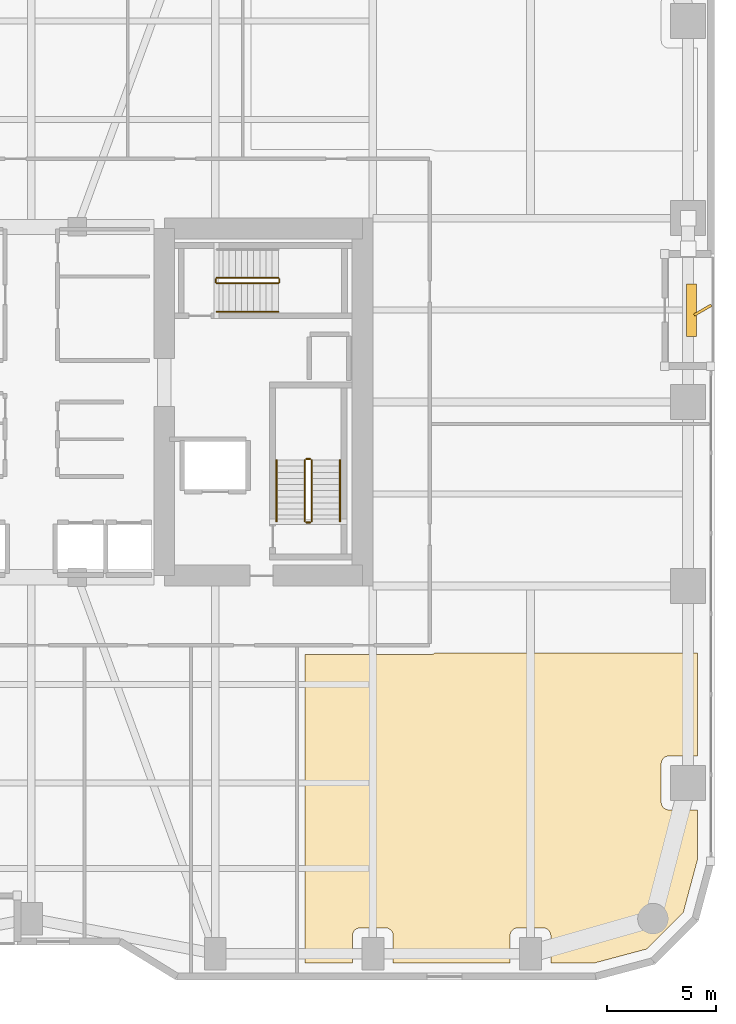
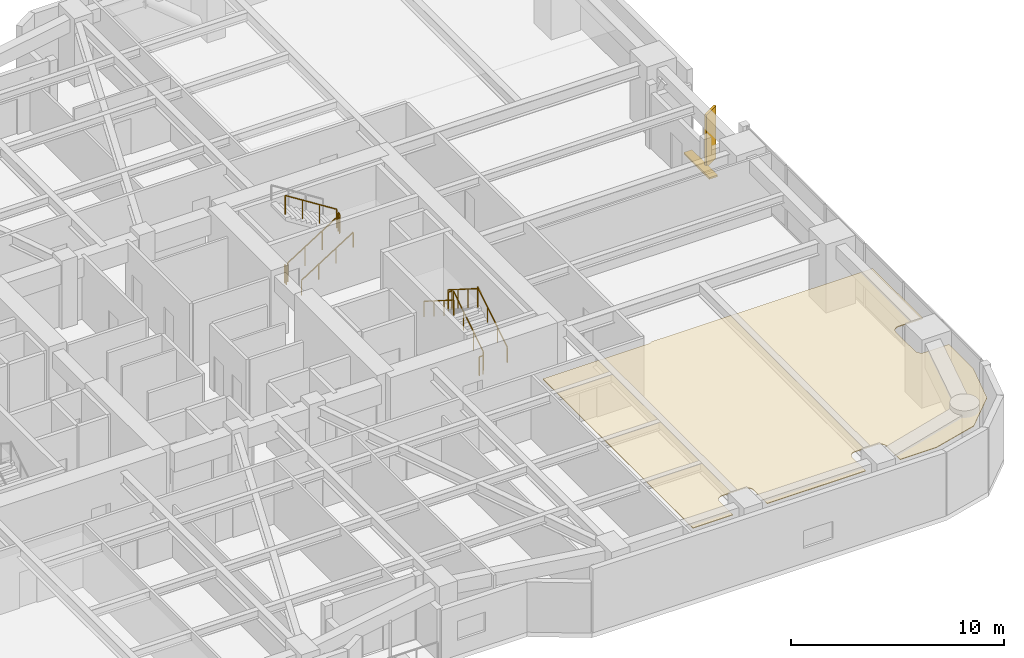
# One storey, part 28 of 29: 11 railings, 2 shading devices, 1 covering.
"""IFC4 building model written with IfcOpenShell, lengths in metres."""

from ifc_helpers import new_model, si_unit, direction, frame, origin, origin_2d, place, context, subcontext, project, spatial, polyline, rectangle, outline, extrude, material, layer, layer_set, type_object, element, save


model = new_model("IFC4")

# Units and contexts
model_context = context("Model", 3, precision=1e-05, world=origin(), true_north=direction((0.0, 1.0)))
body_context = subcontext(model_context, "Body", "Model", "MODEL_VIEW")
ifc_project = project(units=[si_unit("LENGTHUNIT", "METRE"), si_unit("AREAUNIT", "SQUARE_METRE"), si_unit("VOLUMEUNIT", "CUBIC_METRE"), si_unit("PLANEANGLEUNIT", "RADIAN"), si_unit("MASSUNIT", "GRAM", prefix="KILO")], contexts=[model_context])

# Site, building, storey
site_placement = place(None, origin())
site = spatial("IfcSite", under=ifc_project, at=site_placement, CompositionType="ELEMENT")
building_placement = place(site_placement, origin())
building = spatial("IfcBuilding", under=site, at=building_placement, Name="Kiyonajd Concourse Tower", CompositionType="ELEMENT")
storey_placement = place(building_placement, frame((0.0, 0.0, 52.800048828125)))
storey = spatial("IfcBuildingStorey", under=building, at=storey_placement, Name="L14", CompositionType="ELEMENT", Elevation=52.800048828125)

# Covering
ifc_material_1 = material(Name="Natural Oak Acoustic Timber Veneer", Category="wood")
ifc_layer = layer(ifc_material_1, 0.0400390625)
ifc_layer_set = layer_set([ifc_layer], Name="Natural Oak Acoustic Timber Veneer")
covering_type = type_object("IfcCoveringType", Name="CV-CLG-ACST", PredefinedType="CEILING", material=ifc_layer_set)
covering_placement = place(storey_placement, frame((0.0, 0.0, 3.4599609375)))
element("IfcCovering", 1, at=covering_placement, inside=storey, type_object=covering_type, Name="L14-45 Room Acoustic Ceiling", PredefinedType="CEILING", context=body_context, shape_type="SweptSolid", body=[
    extrude(outline(polyline([(66.447998046875, 24.5400390625), (78.429931640625, 24.5400390625), (78.429931640625, 19.830078125), (77.1201171875, 19.830078125), (77.052001953125, 19.822998046875), (76.986083984375, 19.802978515625), (76.926025390625, 19.77099609375), (76.84912109375, 19.701904296875), (76.81103515625, 19.64501953125), (76.784912109375, 19.58203125), (76.77001953125, 19.47998046875), (76.77001953125, 17.719970703125), (76.784912109375, 17.617919921875), (76.81103515625, 17.554931640625), (76.84912109375, 17.498046875), (76.89794921875, 17.448974609375), (76.955078125, 17.410888671875), (77.01806640625, 17.385009765625), (77.0859375, 17.3720703125), (78.429931640625, 17.3701171875), (78.429931640625, 15.10107421875), (77.785888671875, 12.697998046875), (76.10205078125, 11.013916015625), (73.698974609375, 10.3701171875), (71.72998046875, 10.3701171875), (71.72802734375, 11.6640625), (71.715087890625, 11.73193359375), (71.68896484375, 11.794921875), (71.626953125, 11.876953125), (71.544921875, 11.93896484375), (71.48193359375, 11.965087890625), (71.4140625, 11.97802734375), (70.18603515625, 11.97802734375), (70.117919921875, 11.965087890625), (70.054931640625, 11.93896484375), (69.972900390625, 11.876953125), (69.910888671875, 11.794921875), (69.876953125, 11.697998046875), (69.8701171875, 11.6298828125), (69.8701171875, 10.3701171875), (64.530029296875, 10.3701171875), (64.528076171875, 11.6640625), (64.514892578125, 11.73193359375), (64.489013671875, 11.794921875), (64.427001953125, 11.876953125), (64.344970703125, 11.93896484375), (64.281982421875, 11.965087890625), (64.214111328125, 11.97802734375), (63.02001953125, 11.97998046875), (62.91796875, 11.965087890625), (62.85498046875, 11.93896484375), (62.798095703125, 11.90087890625), (62.7490234375, 11.85205078125), (62.7109375, 11.794921875), (62.677001953125, 11.697998046875), (62.669921875, 11.6298828125), (62.669921875, 10.3701171875), (60.510009765625, 10.3701171875), (60.510009765625, 24.4599609375), (66.199951171875, 24.4599609375), (66.330078125, 24.47998046875), (66.39306640625, 24.506103515625), (66.447998046875, 24.5400390625)])), origin(), (0.0, 0.0, 1.0), 0.0400390625),
])

# Railings
ifc_material_2 = material(Name="Steel ASTM A500 Grade C", Category="steel")
railing_type_1 = type_object("IfcRailingType", Name="RL-GRD-STR", PredefinedType="GUARDRAIL", material=ifc_material_2)
railing_1_placement = place(storey_placement, frame((60.800048828125, 30.550048828125, 0.17724609375)))
element("IfcRailing", 2, at=railing_1_placement, inside=storey, type_object=railing_type_1, Name="L14 ST2 stair guard 1", PredefinedType="GUARDRAIL", context=body_context, shape_type="SweptSolid", body=[
    extrude(rectangle(XDim=0.048095703125, YDim=0.048095703125, at=origin_2d()), frame((0.0, 0.0, 1.076171875), z_axis=(0.0, 0.844908973607, 0.534910110503), x_axis=(-1.0, 0.0, 0.0)), (0.0, 0.0, 1.0), 3.31396484375),
    extrude(rectangle(XDim=0.0419921875, YDim=0.0419921875, at=origin_2d()), origin(), (0.0, 0.0, 1.0), 1.052001953125),
    extrude(rectangle(XDim=0.0419921875, YDim=0.0419921875, at=origin_2d()), frame((0.0, 0.933349609375, 0.5908203125)), (0.0, 0.0, 1.0), 1.052001953125),
    extrude(rectangle(XDim=0.0419921875, YDim=0.0419921875, at=origin_2d()), frame((0.0, 1.86669921875, 1.181884765625)), (0.0, 0.0, 1.0), 1.052001953125),
    extrude(rectangle(XDim=0.0419921875, YDim=0.0419921875, at=origin_2d()), frame((0.0, 2.800048828125, 1.772705078125)), (0.0, 0.0, 1.0), 1.052001953125),
])
railing_2_placement = place(storey_placement, frame((60.75, 33.39990234375, 1.949951171875)))
element("IfcRailing", 3, at=railing_2_placement, inside=storey, type_object=railing_type_1, Name="L14 ST2 stair guard 2", PredefinedType="GUARDRAIL", context=body_context, shape_type="SweptSolid", body=[
    extrude(rectangle(XDim=0.048095703125, YDim=0.048095703125, at=origin_2d()), frame((0.0, 0.0, 1.076171875), z_axis=(-1.0, 0.0, 0.0), x_axis=(0.0, -1.0, 0.0)), (0.0, 0.0, 1.0), 0.199951171875),
    extrude(rectangle(XDim=0.0419921875, YDim=0.0419921875, at=origin_2d()), origin(), (0.0, 0.0, 1.0), 1.052001953125),
    extrude(rectangle(XDim=0.0419921875, YDim=0.0419921875, at=origin_2d()), frame((-0.199951171875, 0.0, 0.0)), (0.0, 0.0, 1.0), 1.052001953125),
])
railing_3_placement = place(storey_placement, frame((60.5, 33.35009765625, 2.127197265625)))
element("IfcRailing", 4, at=railing_3_placement, inside=storey, type_object=railing_type_1, Name="L14 ST2 stair guard 3", PredefinedType="GUARDRAIL", context=body_context, shape_type="SweptSolid", body=[
    extrude(rectangle(XDim=0.048095703125, YDim=0.048095703125, at=origin_2d()), frame((0.0, 0.0, 1.076171875), z_axis=(0.0, -0.844908973607, 0.534910110503), x_axis=(1.0, 0.0, 0.0)), (0.0, 0.0, 1.0), 3.31396484375),
    extrude(rectangle(XDim=0.0419921875, YDim=0.0419921875, at=origin_2d()), origin(), (0.0, 0.0, 1.0), 1.052001953125),
    extrude(rectangle(XDim=0.0419921875, YDim=0.0419921875, at=origin_2d()), frame((0.0, -0.933349609375, 0.5908203125)), (0.0, 0.0, 1.0), 1.052001953125),
    extrude(rectangle(XDim=0.0419921875, YDim=0.0419921875, at=origin_2d()), frame((0.0, -1.86669921875, 1.181884765625)), (0.0, 0.0, 1.0), 1.052001953125),
    extrude(rectangle(XDim=0.0419921875, YDim=0.0419921875, at=origin_2d()), frame((0.0, -2.800048828125, 1.772705078125)), (0.0, 0.0, 1.0), 1.052001953125),
])
railing_4_placement = place(storey_placement, frame((60.75, 30.5, 0.0)))
element("IfcRailing", 5, at=railing_4_placement, inside=storey, type_object=railing_type_1, Name="L14 ST2 stair guard 4", PredefinedType="GUARDRAIL", context=body_context, shape_type="SweptSolid", body=[
    extrude(rectangle(XDim=0.048095703125, YDim=0.048095703125, at=origin_2d()), frame((0.0, 0.0, 1.076171875), z_axis=(-1.0, 0.0, 0.0), x_axis=(0.0, -1.0, 0.0)), (0.0, 0.0, 1.0), 0.199951171875),
    extrude(rectangle(XDim=0.0419921875, YDim=0.0419921875, at=origin_2d()), origin(), (0.0, 0.0, 1.0), 1.052001953125),
    extrude(rectangle(XDim=0.0419921875, YDim=0.0419921875, at=origin_2d()), frame((-0.199951171875, 0.0, 0.0)), (0.0, 0.0, 1.0), 1.052001953125),
])
railing_5_placement = place(storey_placement, frame((56.47998046875, 41.429931640625, 0.17724609375)))
element("IfcRailing", 6, at=railing_5_placement, inside=storey, type_object=railing_type_1, Name="L14 ST3 stair guard 1", PredefinedType="GUARDRAIL", context=body_context, shape_type="SweptSolid", body=[
    extrude(rectangle(XDim=0.048095703125, YDim=0.048095703125, at=origin_2d()), frame((0.0, 0.0, 1.076171875), z_axis=(0.844908973607, 0.0, 0.534910110503), x_axis=(0.0, 1.0, 0.0)), (0.0, 0.0, 1.0), 3.31396484375),
    extrude(rectangle(XDim=0.0419921875, YDim=0.0419921875, at=origin_2d()), origin(), (0.0, 0.0, 1.0), 1.052001953125),
    extrude(rectangle(XDim=0.0419921875, YDim=0.0419921875, at=origin_2d()), frame((0.933349609375, 0.0, 0.5908203125)), (0.0, 0.0, 1.0), 1.052001953125),
    extrude(rectangle(XDim=0.0419921875, YDim=0.0419921875, at=origin_2d()), frame((1.86669921875, 0.0, 1.181884765625)), (0.0, 0.0, 1.0), 1.052001953125),
    extrude(rectangle(XDim=0.0419921875, YDim=0.0419921875, at=origin_2d()), frame((2.800048828125, 0.0, 1.772705078125)), (0.0, 0.0, 1.0), 1.052001953125),
])
railing_6_placement = place(storey_placement, frame((59.330078125, 41.47998046875, 1.949951171875)))
element("IfcRailing", 7, at=railing_6_placement, inside=storey, type_object=railing_type_1, Name="L14 ST3 stair guard 2", PredefinedType="GUARDRAIL", context=body_context, shape_type="SweptSolid", body=[
    extrude(rectangle(XDim=0.048095703125, YDim=0.048095703125, at=origin_2d()), frame((0.0, 0.0, 1.076171875), z_axis=(0.0, 1.0, 0.0), x_axis=(-1.0, 0.0, 0.0)), (0.0, 0.0, 1.0), 0.14013671875),
    extrude(rectangle(XDim=0.0419921875, YDim=0.0419921875, at=origin_2d()), origin(), (0.0, 0.0, 1.0), 1.052001953125),
    extrude(rectangle(XDim=0.0419921875, YDim=0.0419921875, at=origin_2d()), frame((0.0, 0.14013671875, 0.0)), (0.0, 0.0, 1.0), 1.052001953125),
])
railing_7_placement = place(storey_placement, frame((59.280029296875, 41.669921875, 2.127197265625)))
element("IfcRailing", 8, at=railing_7_placement, inside=storey, type_object=railing_type_1, Name="L14 ST3 stair guard 3", PredefinedType="GUARDRAIL", context=body_context, shape_type="SweptSolid", body=[
    extrude(rectangle(XDim=0.048095703125, YDim=0.048095703125, at=origin_2d()), frame((0.0, 0.0, 1.076171875), z_axis=(-0.844908973607, 0.0, 0.534910110503), x_axis=(0.0, -1.0, 0.0)), (0.0, 0.0, 1.0), 3.31396484375),
    extrude(rectangle(XDim=0.0419921875, YDim=0.0419921875, at=origin_2d()), origin(), (0.0, 0.0, 1.0), 1.052001953125),
    extrude(rectangle(XDim=0.0419921875, YDim=0.0419921875, at=origin_2d()), frame((-0.933349609375, 0.0, 0.5908203125)), (0.0, 0.0, 1.0), 1.052001953125),
    extrude(rectangle(XDim=0.0419921875, YDim=0.0419921875, at=origin_2d()), frame((-1.86669921875, 0.0, 1.181884765625)), (0.0, 0.0, 1.0), 1.052001953125),
    extrude(rectangle(XDim=0.0419921875, YDim=0.0419921875, at=origin_2d()), frame((-2.800048828125, 0.0, 1.772705078125)), (0.0, 0.0, 1.0), 1.052001953125),
])
railing_8_placement = place(storey_placement, frame((56.429931640625, 41.47998046875, 0.0)))
element("IfcRailing", 9, at=railing_8_placement, inside=storey, type_object=railing_type_1, Name="L14 ST3 stair guard 4", PredefinedType="GUARDRAIL", context=body_context, shape_type="SweptSolid", body=[
    extrude(rectangle(XDim=0.048095703125, YDim=0.048095703125, at=origin_2d()), frame((0.0, 0.0, 1.076171875), z_axis=(0.0, 1.0, 0.0), x_axis=(-1.0, 0.0, 0.0)), (0.0, 0.0, 1.0), 0.14013671875),
    extrude(rectangle(XDim=0.0419921875, YDim=0.0419921875, at=origin_2d()), origin(), (0.0, 0.0, 1.0), 1.052001953125),
    extrude(rectangle(XDim=0.0419921875, YDim=0.0419921875, at=origin_2d()), frame((0.0, 0.14013671875, 0.0)), (0.0, 0.0, 1.0), 1.052001953125),
])
ifc_material_3 = material(Name="Brushed Stainless Steel Cab Assembly", Category="steel")
railing_type_2 = type_object("IfcRailingType", Name="RL-HND-900", PredefinedType="HANDRAIL", material=ifc_material_3)
railing_9_placement = place(storey_placement, frame((62.10009765625, 30.550048828125, 0.17724609375)))
element("IfcRailing", 10, at=railing_9_placement, inside=storey, type_object=railing_type_2, Name="L14 ST2 stair handrail 1", PredefinedType="HANDRAIL", context=body_context, shape_type="SweptSolid", body=[
    extrude(rectangle(XDim=0.048095703125, YDim=0.048095703125, at=origin_2d()), frame((0.0, 0.0, 0.8759765625), z_axis=(0.0, 0.844908973607, 0.534910110503), x_axis=(-1.0, 0.0, 0.0)), (0.0, 0.0, 1.0), 3.31396484375),
    extrude(rectangle(XDim=0.0419921875, YDim=0.0419921875, at=origin_2d()), origin(), (0.0, 0.0, 1.0), 0.851806640625),
    extrude(rectangle(XDim=0.0419921875, YDim=0.0419921875, at=origin_2d()), frame((0.0, 0.933349609375, 0.5908203125)), (0.0, 0.0, 1.0), 0.851806640625),
    extrude(rectangle(XDim=0.0419921875, YDim=0.0419921875, at=origin_2d()), frame((0.0, 1.86669921875, 1.181884765625)), (0.0, 0.0, 1.0), 0.851806640625),
    extrude(rectangle(XDim=0.0419921875, YDim=0.0419921875, at=origin_2d()), frame((0.0, 2.800048828125, 1.772705078125)), (0.0, 0.0, 1.0), 0.851806640625),
])
railing_10_placement = place(storey_placement, frame((59.199951171875, 33.35009765625, 2.127197265625)))
element("IfcRailing", 11, at=railing_10_placement, inside=storey, type_object=railing_type_2, Name="L14 ST2 stair handrail 2", PredefinedType="HANDRAIL", context=body_context, shape_type="SweptSolid", body=[
    extrude(rectangle(XDim=0.048095703125, YDim=0.048095703125, at=origin_2d()), frame((0.0, 0.0, 0.8759765625), z_axis=(0.0, -0.844908973607, 0.534910110503), x_axis=(1.0, 0.0, 0.0)), (0.0, 0.0, 1.0), 3.31396484375),
    extrude(rectangle(XDim=0.0419921875, YDim=0.0419921875, at=origin_2d()), origin(), (0.0, 0.0, 1.0), 0.851806640625),
    extrude(rectangle(XDim=0.0419921875, YDim=0.0419921875, at=origin_2d()), frame((0.0, -0.933349609375, 0.5908203125)), (0.0, 0.0, 1.0), 0.851806640625),
    extrude(rectangle(XDim=0.0419921875, YDim=0.0419921875, at=origin_2d()), frame((0.0, -1.86669921875, 1.181884765625)), (0.0, 0.0, 1.0), 0.851806640625),
    extrude(rectangle(XDim=0.0419921875, YDim=0.0419921875, at=origin_2d()), frame((0.0, -2.800048828125, 1.772705078125)), (0.0, 0.0, 1.0), 0.851806640625),
])
railing_11_placement = place(storey_placement, frame((56.47998046875, 40.1298828125, 0.17724609375)))
element("IfcRailing", 12, at=railing_11_placement, inside=storey, type_object=railing_type_2, Name="L14 ST3 stair handrail 1", PredefinedType="HANDRAIL", context=body_context, shape_type="SweptSolid", body=[
    extrude(rectangle(XDim=0.048095703125, YDim=0.048095703125, at=origin_2d()), frame((0.0, 0.0, 0.8759765625), z_axis=(0.844908973607, 0.0, 0.534910110503), x_axis=(0.0, 1.0, 0.0)), (0.0, 0.0, 1.0), 3.31396484375),
    extrude(rectangle(XDim=0.0419921875, YDim=0.0419921875, at=origin_2d()), origin(), (0.0, 0.0, 1.0), 0.851806640625),
    extrude(rectangle(XDim=0.0419921875, YDim=0.0419921875, at=origin_2d()), frame((0.933349609375, 0.0, 0.5908203125)), (0.0, 0.0, 1.0), 0.851806640625),
    extrude(rectangle(XDim=0.0419921875, YDim=0.0419921875, at=origin_2d()), frame((1.86669921875, 0.0, 1.181884765625)), (0.0, 0.0, 1.0), 0.851806640625),
    extrude(rectangle(XDim=0.0419921875, YDim=0.0419921875, at=origin_2d()), frame((2.800048828125, 0.0, 1.772705078125)), (0.0, 0.0, 1.0), 0.851806640625),
])

# Shading devices
ifc_material_4 = material(Name="Precast concrete C50/60", Category="concrete")
shading_device_type_1 = type_object("IfcShadingDeviceType", Name="SH-FIN-900", PredefinedType="USERDEFINED", material=ifc_material_4)
shading_device_1_placement = place(storey_placement, frame((78.669921875, 40.199951171875, 0.0), z_axis=(0.0, 0.0, 1.0), x_axis=(0.866025403784, 0.5, 0.0)))
element("IfcShadingDevice", 13, at=shading_device_1_placement, inside=storey, type_object=shading_device_type_1, Name="L14 Angled Koshi Solar Fin LOG-E", ObjectType="FIN", PredefinedType="USERDEFINED", context=body_context, shape_type="SweptSolid", body=[
    extrude(rectangle(XDim=0.89990234375, YDim=0.1201171875, at=origin_2d()), origin(), (0.0, 0.0, 1.0), 3.0),
])
ifc_material_5 = material(Name="Thermally Broken Anodised Aluminium", Category="aluminium")
shading_device_type_2 = type_object("IfcShadingDeviceType", Name="SH-LVR-600", PredefinedType="JALOUSIE", material=ifc_material_5)
shading_device_2_placement = place(storey_placement, frame((78.14990234375, 40.199951171875, 0.0), z_axis=(0.0, 0.0, 1.0), x_axis=(0.0, 1.0, 0.0)))
element("IfcShadingDevice", 14, at=shading_device_2_placement, inside=storey, type_object=shading_device_type_2, Name="L14 Loggia Threshold Louver LOG-E", PredefinedType="JALOUSIE", context=body_context, shape_type="SweptSolid", body=[
    extrude(rectangle(XDim=2.39990234375, YDim=0.449951171875, at=origin_2d()), origin(), (0.0, 0.0, 1.0), 0.10009765625),
])

save(model, "model.ifc")
